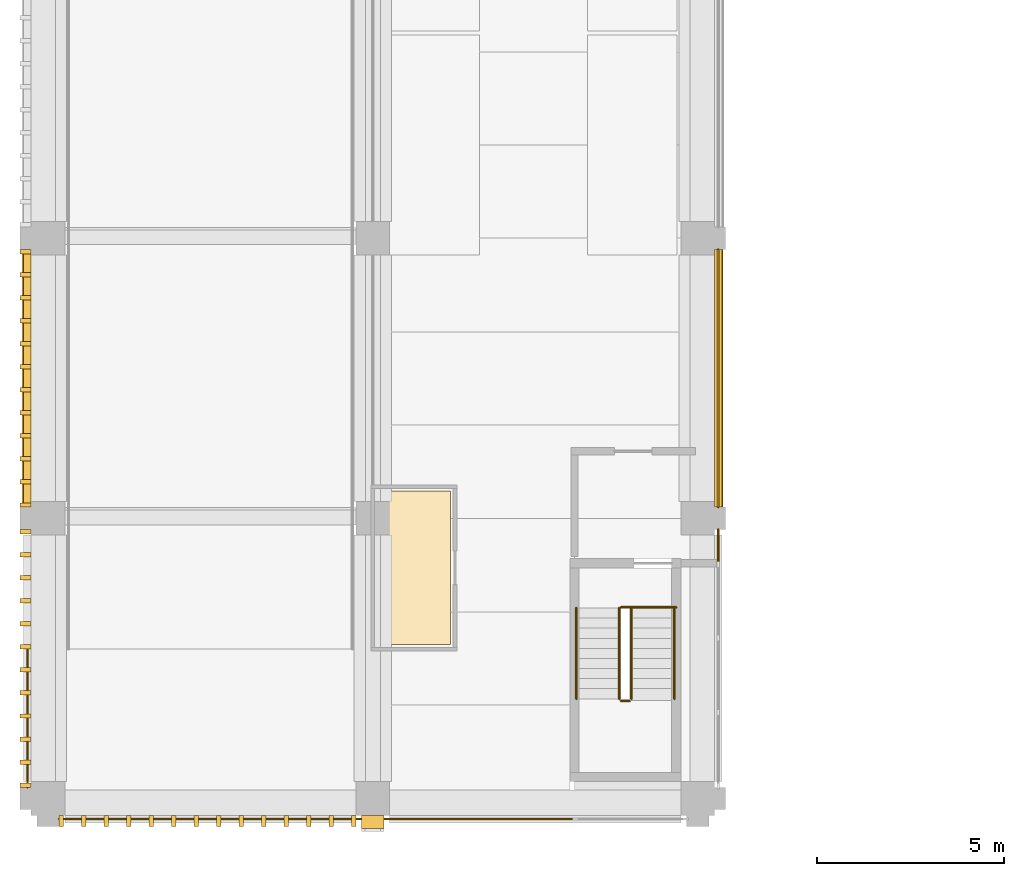
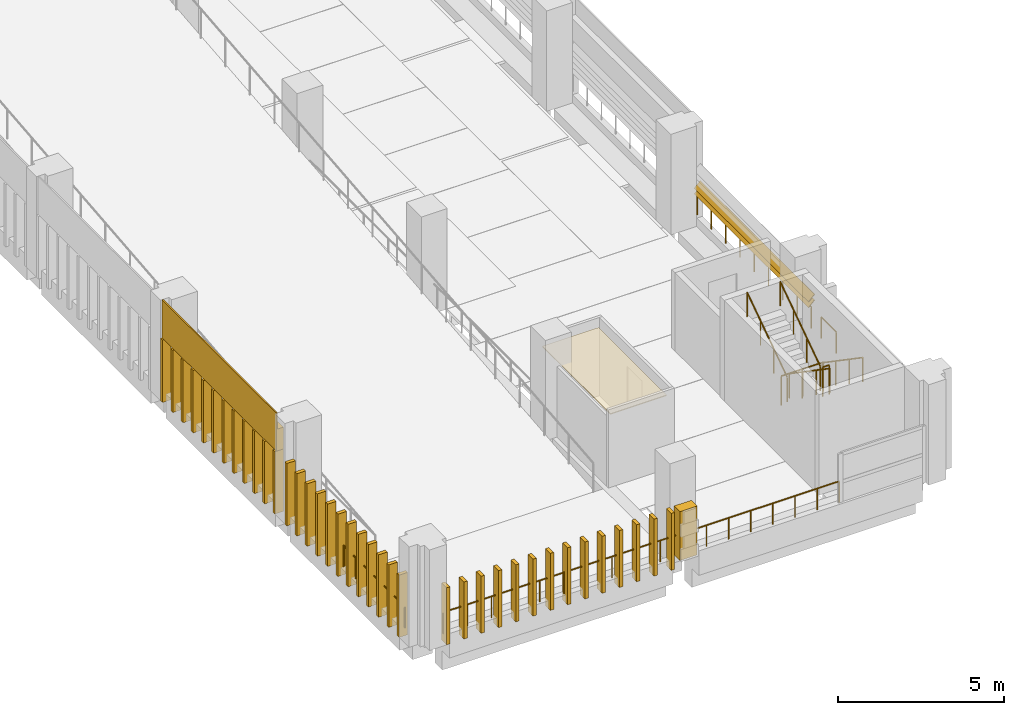
# One storey, part 37 of 57: 41 coverings, 11 railings, 2 shading devices.
"""IFC4 building model written with IfcOpenShell, lengths in metres."""

from ifc_helpers import new_model, si_unit, direction, frame, origin, origin_2d, place, context, subcontext, project, spatial, polyline, circle, outline, extrude, material, layer, layer_set, type_object, element, save


model = new_model("IFC4")

# Units and contexts
model_context = context("Model", 3, precision=1e-05, world=origin(), true_north=direction((0.0, 1.0)))
body_context = subcontext(model_context, "Body", "Model", "MODEL_VIEW")
ifc_project = project(units=[si_unit("LENGTHUNIT", "METRE"), si_unit("AREAUNIT", "SQUARE_METRE"), si_unit("VOLUMEUNIT", "CUBIC_METRE"), si_unit("PLANEANGLEUNIT", "RADIAN"), si_unit("MASSUNIT", "GRAM", prefix="KILO")], contexts=[model_context])

# Site, building, storey
site_placement = place(None, origin())
site = spatial("IfcSite", under=ifc_project, at=site_placement, CompositionType="ELEMENT")
building_placement = place(site_placement, origin())
building = spatial("IfcBuilding", under=site, at=building_placement, Name="Cour d'Honneur Mobility Palace", CompositionType="ELEMENT")
storey_placement = place(building_placement, frame((0.0, 0.0, 8.199951171875)))
storey = spatial("IfcBuildingStorey", under=building, at=storey_placement, Name="L02", CompositionType="ELEMENT", Elevation=8.199951171875)

# Railings
ifc_material_1 = material(Name="Painted steel", Category="steel")
railing_type_1 = type_object("IfcRailingType", Name="Balustrade", PredefinedType="BALUSTRADE", material=ifc_material_1)
railing_1_placement = place(storey_placement, frame((0.300048828125, -0.550048828125, 0.300048828125)))
element("IfcRailing", 1, at=railing_1_placement, inside=storey, type_object=railing_type_1, Name="Balustrade BAL-66", PredefinedType="BALUSTRADE", context=body_context, shape_type="SweptSolid", body=[
    extrude(circle(Radius=0.02392578125, at=origin_2d()), frame((0.0, 0.0, 0.77587890625), z_axis=(1.0, 0.0, 0.0), x_axis=(0.0, 1.0, 0.0)), (0.0, 0.0, 1.0), 8.39990234375),
    extrude(circle(Radius=0.02099609375, at=origin_2d()), origin(), (0.0, 0.0, 1.0), 0.751953125),
    extrude(circle(Radius=0.02099609375, at=origin_2d()), frame((0.840087890625, 0.0, 0.0)), (0.0, 0.0, 1.0), 0.751953125),
    extrude(circle(Radius=0.02099609375, at=origin_2d()), frame((1.679931640625, 0.0, 0.0)), (0.0, 0.0, 1.0), 0.751953125),
    extrude(circle(Radius=0.02099609375, at=origin_2d()), frame((2.52001953125, 0.0, 0.0)), (0.0, 0.0, 1.0), 0.751953125),
    extrude(circle(Radius=0.02099609375, at=origin_2d()), frame((3.35986328125, 0.0, 0.0)), (0.0, 0.0, 1.0), 0.751953125),
    extrude(circle(Radius=0.02099609375, at=origin_2d()), frame((4.199951171875, 0.0, 0.0)), (0.0, 0.0, 1.0), 0.751953125),
    extrude(circle(Radius=0.02099609375, at=origin_2d()), frame((5.0400390625, 0.0, 0.0)), (0.0, 0.0, 1.0), 0.751953125),
    extrude(circle(Radius=0.02099609375, at=origin_2d()), frame((5.8798828125, 0.0, 0.0)), (0.0, 0.0, 1.0), 0.751953125),
    extrude(circle(Radius=0.02099609375, at=origin_2d()), frame((6.719970703125, 0.0, 0.0)), (0.0, 0.0, 1.0), 0.751953125),
    extrude(circle(Radius=0.02099609375, at=origin_2d()), frame((7.559814453125, 0.0, 0.0)), (0.0, 0.0, 1.0), 0.751953125),
    extrude(circle(Radius=0.02099609375, at=origin_2d()), frame((8.39990234375, 0.0, 0.0)), (0.0, 0.0, 1.0), 0.751953125),
])
railing_2_placement = place(storey_placement, frame((8.699951171875, -0.550048828125, 0.300048828125)))
element("IfcRailing", 2, at=railing_2_placement, inside=storey, type_object=railing_type_1, Name="Balustrade BAL-67", PredefinedType="BALUSTRADE", context=body_context, shape_type="SweptSolid", body=[
    extrude(circle(Radius=0.02392578125, at=origin_2d()), frame((0.0, 0.0, 0.77587890625), z_axis=(1.0, 0.0, 0.0), x_axis=(0.0, 1.0, 0.0)), (0.0, 0.0, 1.0), 5.400146484375),
    extrude(circle(Radius=0.02099609375, at=origin_2d()), origin(), (0.0, 0.0, 1.0), 0.751953125),
    extrude(circle(Radius=0.02099609375, at=origin_2d()), frame((0.771484375, 0.0, 0.0)), (0.0, 0.0, 1.0), 0.751953125),
    extrude(circle(Radius=0.02099609375, at=origin_2d()), frame((1.54296875, 0.0, 0.0)), (0.0, 0.0, 1.0), 0.751953125),
    extrude(circle(Radius=0.02099609375, at=origin_2d()), frame((2.314453125, 0.0, 0.0)), (0.0, 0.0, 1.0), 0.751953125),
    extrude(circle(Radius=0.02099609375, at=origin_2d()), frame((3.085693359375, 0.0, 0.0)), (0.0, 0.0, 1.0), 0.751953125),
    extrude(circle(Radius=0.02099609375, at=origin_2d()), frame((3.857177734375, 0.0, 0.0)), (0.0, 0.0, 1.0), 0.751953125),
    extrude(circle(Radius=0.02099609375, at=origin_2d()), frame((4.628662109375, 0.0, 0.0)), (0.0, 0.0, 1.0), 0.751953125),
    extrude(circle(Radius=0.02099609375, at=origin_2d()), frame((5.400146484375, 0.0, 0.0)), (0.0, 0.0, 1.0), 0.751953125),
])
railing_3_placement = place(storey_placement, frame((17.949951171875, 6.300048828125, 0.300048828125)))
element("IfcRailing", 3, at=railing_3_placement, inside=storey, type_object=railing_type_1, Name="Balustrade BAL-68", PredefinedType="BALUSTRADE", context=body_context, shape_type="SweptSolid", body=[
    extrude(circle(Radius=0.02392578125, at=origin_2d()), frame((0.0, 0.0, 0.77587890625), z_axis=(0.0, 1.0, 0.0), x_axis=(-1.0, 0.0, 0.0)), (0.0, 0.0, 1.0), 0.89990234375),
    extrude(circle(Radius=0.02099609375, at=origin_2d()), origin(), (0.0, 0.0, 1.0), 0.751953125),
    extrude(circle(Radius=0.02099609375, at=origin_2d()), frame((0.0, 0.89990234375, 0.0)), (0.0, 0.0, 1.0), 0.751953125),
])
railing_4_placement = place(storey_placement, frame((17.949951171875, 7.800048828125, 0.300048828125)))
element("IfcRailing", 4, at=railing_4_placement, inside=storey, type_object=railing_type_1, Name="Balustrade BAL-69", PredefinedType="BALUSTRADE", context=body_context, shape_type="SweptSolid", body=[
    extrude(circle(Radius=0.02392578125, at=origin_2d()), frame((0.0, 0.0, 0.77587890625), z_axis=(0.0, 1.0, 0.0), x_axis=(-1.0, 0.0, 0.0)), (0.0, 0.0, 1.0), 6.89990234375),
    extrude(circle(Radius=0.02099609375, at=origin_2d()), origin(), (0.0, 0.0, 1.0), 0.751953125),
    extrude(circle(Radius=0.02099609375, at=origin_2d()), frame((0.0, 0.862548828125, 0.0)), (0.0, 0.0, 1.0), 0.751953125),
    extrude(circle(Radius=0.02099609375, at=origin_2d()), frame((0.0, 1.72509765625, 0.0)), (0.0, 0.0, 1.0), 0.751953125),
    extrude(circle(Radius=0.02099609375, at=origin_2d()), frame((0.0, 2.58740234375, 0.0)), (0.0, 0.0, 1.0), 0.751953125),
    extrude(circle(Radius=0.02099609375, at=origin_2d()), frame((0.0, 3.449951171875, 0.0)), (0.0, 0.0, 1.0), 0.751953125),
    extrude(circle(Radius=0.02099609375, at=origin_2d()), frame((0.0, 4.3125, 0.0)), (0.0, 0.0, 1.0), 0.751953125),
    extrude(circle(Radius=0.02099609375, at=origin_2d()), frame((0.0, 5.1748046875, 0.0)), (0.0, 0.0, 1.0), 0.751953125),
    extrude(circle(Radius=0.02099609375, at=origin_2d()), frame((0.0, 6.037353515625, 0.0)), (0.0, 0.0, 1.0), 0.751953125),
    extrude(circle(Radius=0.02099609375, at=origin_2d()), frame((0.0, 6.89990234375, 0.0)), (0.0, 0.0, 1.0), 0.751953125),
])
railing_5_placement = place(storey_placement, frame((-0.550048828125, 4.0, 0.300048828125)))
element("IfcRailing", 5, at=railing_5_placement, inside=storey, type_object=railing_type_1, Name="Balustrade BAL-130", PredefinedType="BALUSTRADE", context=body_context, shape_type="SweptSolid", body=[
    extrude(circle(Radius=0.02392578125, at=origin_2d()), frame((0.0, 0.0, 0.77587890625), z_axis=(0.0, -1.0, 0.0), x_axis=(1.0, 0.0, 0.0)), (0.0, 0.0, 1.0), 3.699951171875),
    extrude(circle(Radius=0.02099609375, at=origin_2d()), origin(), (0.0, 0.0, 1.0), 0.751953125),
    extrude(circle(Radius=0.02099609375, at=origin_2d()), frame((0.0, -0.739990234375, 0.0)), (0.0, 0.0, 1.0), 0.751953125),
    extrude(circle(Radius=0.02099609375, at=origin_2d()), frame((0.0, -1.47998046875, 0.0)), (0.0, 0.0, 1.0), 0.751953125),
    extrude(circle(Radius=0.02099609375, at=origin_2d()), frame((0.0, -2.219970703125, 0.0)), (0.0, 0.0, 1.0), 0.751953125),
    extrude(circle(Radius=0.02099609375, at=origin_2d()), frame((0.0, -2.9599609375, 0.0)), (0.0, 0.0, 1.0), 0.751953125),
    extrude(circle(Radius=0.02099609375, at=origin_2d()), frame((0.0, -3.699951171875, 0.0)), (0.0, 0.0, 1.0), 0.751953125),
])
ifc_material_2 = material(Name="Painted steel", Category="steel")
railing_type_2 = type_object("IfcRailingType", Name="Guardrail 1100", PredefinedType="GUARDRAIL", material=ifc_material_2)
railing_6_placement = place(storey_placement, frame((15.35009765625, 5.1201171875, 0.0)))
element("IfcRailing", 6, at=railing_6_placement, inside=storey, type_object=railing_type_2, Name="Guard ST-RW1", PredefinedType="GUARDRAIL", context=body_context, shape_type="SweptSolid", body=[
    extrude(circle(Radius=0.02490234375, at=origin_2d()), frame((0.0, 0.0, 1.0751953125), z_axis=(1.0, 0.0, 0.0), x_axis=(0.0, 1.0, 0.0)), (0.0, 0.0, 1.0), 1.474853515625),
    extrude(circle(Radius=0.02099609375, at=origin_2d()), origin(), (0.0, 0.0, 1.0), 1.050048828125),
    extrude(circle(Radius=0.02099609375, at=origin_2d()), frame((0.7373046875, 0.0, 0.0)), (0.0, 0.0, 1.0), 1.050048828125),
    extrude(circle(Radius=0.02099609375, at=origin_2d()), frame((1.474853515625, 0.0, 0.0)), (0.0, 0.0, 1.0), 1.050048828125),
])
railing_7_placement = place(storey_placement, frame((15.35009765625, 2.610107421875, 1.85009765625)))
element("IfcRailing", 7, at=railing_7_placement, inside=storey, type_object=railing_type_2, Name="Landing guard ST-RW1", PredefinedType="GUARDRAIL", context=body_context, shape_type="SweptSolid", body=[
    extrude(circle(Radius=0.02490234375, at=origin_2d()), frame((0.0, 0.0, 1.0751953125), z_axis=(1.0, 0.0, 0.0), x_axis=(0.0, 1.0, 0.0)), (0.0, 0.0, 1.0), 0.224853515625),
    extrude(circle(Radius=0.02099609375, at=origin_2d()), origin(), (0.0, 0.0, 1.0), 1.050048828125),
    extrude(circle(Radius=0.02099609375, at=origin_2d()), frame((0.224853515625, 0.0, 0.0)), (0.0, 0.0, 1.0), 1.050048828125),
])
ifc_material_3 = material(Name="Stainless steel", Category="steel")
railing_type_3 = type_object("IfcRailingType", Name="Handrail round 50", PredefinedType="HANDRAIL", material=ifc_material_3)
for number, where, name in (
    (8, (16.77490234375, 5.10009765625, 0.18505859375), "Handrail ST-RW1"),
    (9, (15.625, 5.10009765625, 0.18505859375), "Handrail ST-RW1"),
):
    element("IfcRailing", number, at=place(storey_placement, frame(where)), inside=storey, type_object=railing_type_3, Name=name, PredefinedType="HANDRAIL", context=body_context, shape_type="SweptSolid", body=[
        extrude(circle(Radius=0.02490234375, at=origin_2d()), frame((0.0, 0.0, 0.89501953125), z_axis=(0.0, -0.824945253146, 0.565212640793), x_axis=(1.0, 0.0, 0.0)), (0.0, 0.0, 1.0), 2.94580078125),
        extrude(circle(Radius=0.02099609375, at=origin_2d()), origin(), (0.0, 0.0, 1.0), 0.869873046875),
        extrude(circle(Radius=0.02099609375, at=origin_2d()), frame((0.0, -0.81005859375, 0.554931640625)), (0.0, 0.0, 1.0), 0.869873046875),
        extrude(circle(Radius=0.02099609375, at=origin_2d()), frame((0.0, -1.6201171875, 1.110107421875)), (0.0, 0.0, 1.0), 0.869873046875),
        extrude(circle(Radius=0.02099609375, at=origin_2d()), frame((0.0, -2.43017578125, 1.6650390625)), (0.0, 0.0, 1.0), 0.869873046875),
    ])
for number, where, name in (
    (10, (15.300048828125, 2.669921875, 2.03515625), "Handrail ST-RW1"),
    (11, (14.14990234375, 2.669921875, 2.03515625), "Handrail ST-RW1"),
):
    element("IfcRailing", number, at=place(storey_placement, frame(where)), inside=storey, type_object=railing_type_3, Name=name, PredefinedType="HANDRAIL", context=body_context, shape_type="SweptSolid", body=[
        extrude(circle(Radius=0.02490234375, at=origin_2d()), frame((0.0, 0.0, 0.89501953125), z_axis=(0.0, 0.824983895463, 0.565156237006), x_axis=(-1.0, 0.0, 0.0)), (0.0, 0.0, 1.0), 2.94580078125),
        extrude(circle(Radius=0.02099609375, at=origin_2d()), origin(), (0.0, 0.0, 1.0), 0.869873046875),
        extrude(circle(Radius=0.02099609375, at=origin_2d()), frame((0.0, 0.81005859375, 0.554931640625)), (0.0, 0.0, 1.0), 0.869873046875),
        extrude(circle(Radius=0.02099609375, at=origin_2d()), frame((0.0, 1.6201171875, 1.10986328125)), (0.0, 0.0, 1.0), 0.869873046875),
        extrude(circle(Radius=0.02099609375, at=origin_2d()), frame((0.0, 2.43017578125, 1.664794921875)), (0.0, 0.0, 1.0), 0.869873046875),
    ])

# Coverings
ifc_material_4 = material(Name="Cast limestone", Category="masonry")
ifc_layer_1 = layer(ifc_material_4, 0.35009765625)
ifc_layer_set_1 = layer_set([ifc_layer_1], Name="Cast limestone")
covering_type_1 = type_object("IfcCoveringType", Name="Pier pilaster", PredefinedType="CLADDING", material=ifc_layer_set_1)
covering_1_placement = place(storey_placement, frame((0.0, 0.0, 0.300048828125)))
element("IfcCovering", 12, at=covering_1_placement, inside=storey, type_object=covering_type_1, Name="Pier pilaster PN-3", PredefinedType="CLADDING", context=body_context, shape_type="SweptSolid", body=[
    extrude(outline(polyline([(8.39990234375, -0.449951171875), (9.0, -0.449951171875), (9.0, -0.800048828125), (8.39990234375, -0.800048828125), (8.39990234375, -0.449951171875)])), origin(), (0.0, 0.0, 1.0), 1.800048828125),
])
ifc_material_5 = material(Name="Cast limestone", Category="masonry")
ifc_layer_2 = layer(ifc_material_5, 0.1201171875)
ifc_layer_set_2 = layer_set([ifc_layer_2], Name="Cast limestone")
covering_type_2 = type_object("IfcCoveringType", Name="Ramp screen fin", PredefinedType="CLADDING", material=ifc_layer_set_2)
covering_2_placement = place(storey_placement, origin())
element("IfcCovering", 13, at=covering_2_placement, inside=storey, type_object=covering_type_2, Name="Ramp screen fin S0.0 L02 1", PredefinedType="CLADDING", context=body_context, shape_type="SweptSolid", body=[
    extrude(outline(polyline([(0.300048828125, -0.449951171875), (0.419921875, -0.449951171875), (0.419921875, -0.75), (0.300048828125, -0.75), (0.300048828125, -0.449951171875)])), origin(), (0.0, 0.0, 1.0), 2.10009765625),
])
covering_3_placement = place(storey_placement, origin())
element("IfcCovering", 14, at=covering_3_placement, inside=storey, type_object=covering_type_2, Name="Ramp screen fin S0.0 L02 2", PredefinedType="CLADDING", context=body_context, shape_type="SweptSolid", body=[
    extrude(outline(polyline([(0.90234375, -0.449951171875), (1.022216796875, -0.449951171875), (1.022216796875, -0.75), (0.90234375, -0.75), (0.90234375, -0.449951171875)])), origin(), (0.0, 0.0, 1.0), 2.10009765625),
])
covering_4_placement = place(storey_placement, origin())
element("IfcCovering", 15, at=covering_4_placement, inside=storey, type_object=covering_type_2, Name="Ramp screen fin S0.0 L02 3", PredefinedType="CLADDING", context=body_context, shape_type="SweptSolid", body=[
    extrude(outline(polyline([(1.504638671875, -0.449951171875), (1.62451171875, -0.449951171875), (1.62451171875, -0.75), (1.504638671875, -0.75), (1.504638671875, -0.449951171875)])), origin(), (0.0, 0.0, 1.0), 2.10009765625),
])
covering_5_placement = place(storey_placement, origin())
element("IfcCovering", 16, at=covering_5_placement, inside=storey, type_object=covering_type_2, Name="Ramp screen fin S0.0 L02 4", PredefinedType="CLADDING", context=body_context, shape_type="SweptSolid", body=[
    extrude(outline(polyline([(2.10693359375, -0.449951171875), (2.226806640625, -0.449951171875), (2.226806640625, -0.75), (2.10693359375, -0.75), (2.10693359375, -0.449951171875)])), origin(), (0.0, 0.0, 1.0), 2.10009765625),
])
covering_6_placement = place(storey_placement, origin())
element("IfcCovering", 17, at=covering_6_placement, inside=storey, type_object=covering_type_2, Name="Ramp screen fin S0.0 L02 5", PredefinedType="CLADDING", context=body_context, shape_type="SweptSolid", body=[
    extrude(outline(polyline([(2.709228515625, -0.449951171875), (2.829345703125, -0.449951171875), (2.829345703125, -0.75), (2.709228515625, -0.75), (2.709228515625, -0.449951171875)])), origin(), (0.0, 0.0, 1.0), 2.10009765625),
])
covering_7_placement = place(storey_placement, origin())
element("IfcCovering", 18, at=covering_7_placement, inside=storey, type_object=covering_type_2, Name="Ramp screen fin S0.0 L02 6", PredefinedType="CLADDING", context=body_context, shape_type="SweptSolid", body=[
    extrude(outline(polyline([(3.3115234375, -0.449951171875), (3.431640625, -0.449951171875), (3.431640625, -0.75), (3.3115234375, -0.75), (3.3115234375, -0.449951171875)])), origin(), (0.0, 0.0, 1.0), 2.10009765625),
])
covering_8_placement = place(storey_placement, origin())
element("IfcCovering", 19, at=covering_8_placement, inside=storey, type_object=covering_type_2, Name="Ramp screen fin S0.0 L02 7", PredefinedType="CLADDING", context=body_context, shape_type="SweptSolid", body=[
    extrude(outline(polyline([(3.913818359375, -0.449951171875), (4.033935546875, -0.449951171875), (4.033935546875, -0.75), (3.913818359375, -0.75), (3.913818359375, -0.449951171875)])), origin(), (0.0, 0.0, 1.0), 2.10009765625),
])
covering_9_placement = place(storey_placement, origin())
element("IfcCovering", 20, at=covering_9_placement, inside=storey, type_object=covering_type_2, Name="Ramp screen fin S0.0 L02 8", PredefinedType="CLADDING", context=body_context, shape_type="SweptSolid", body=[
    extrude(outline(polyline([(4.51611328125, -0.449951171875), (4.63623046875, -0.449951171875), (4.63623046875, -0.75), (4.51611328125, -0.75), (4.51611328125, -0.449951171875)])), origin(), (0.0, 0.0, 1.0), 2.10009765625),
])
covering_10_placement = place(storey_placement, origin())
element("IfcCovering", 21, at=covering_10_placement, inside=storey, type_object=covering_type_2, Name="Ramp screen fin S0.0 L02 9", PredefinedType="CLADDING", context=body_context, shape_type="SweptSolid", body=[
    extrude(outline(polyline([(5.118408203125, -0.449951171875), (5.238525390625, -0.449951171875), (5.238525390625, -0.75), (5.118408203125, -0.75), (5.118408203125, -0.449951171875)])), origin(), (0.0, 0.0, 1.0), 2.10009765625),
])
covering_11_placement = place(storey_placement, origin())
element("IfcCovering", 22, at=covering_11_placement, inside=storey, type_object=covering_type_2, Name="Ramp screen fin S0.0 L02 10", PredefinedType="CLADDING", context=body_context, shape_type="SweptSolid", body=[
    extrude(outline(polyline([(5.720703125, -0.449951171875), (5.8408203125, -0.449951171875), (5.8408203125, -0.75), (5.720703125, -0.75), (5.720703125, -0.449951171875)])), origin(), (0.0, 0.0, 1.0), 2.10009765625),
])
covering_12_placement = place(storey_placement, origin())
element("IfcCovering", 23, at=covering_12_placement, inside=storey, type_object=covering_type_2, Name="Ramp screen fin S0.0 L02 11", PredefinedType="CLADDING", context=body_context, shape_type="SweptSolid", body=[
    extrude(outline(polyline([(6.322998046875, -0.449951171875), (6.443115234375, -0.449951171875), (6.443115234375, -0.75), (6.322998046875, -0.75), (6.322998046875, -0.449951171875)])), origin(), (0.0, 0.0, 1.0), 2.10009765625),
])
covering_13_placement = place(storey_placement, origin())
element("IfcCovering", 24, at=covering_13_placement, inside=storey, type_object=covering_type_2, Name="Ramp screen fin S0.0 L02 12", PredefinedType="CLADDING", context=body_context, shape_type="SweptSolid", body=[
    extrude(outline(polyline([(6.92529296875, -0.449951171875), (7.04541015625, -0.449951171875), (7.04541015625, -0.75), (6.92529296875, -0.75), (6.92529296875, -0.449951171875)])), origin(), (0.0, 0.0, 1.0), 2.10009765625),
])
covering_14_placement = place(storey_placement, origin())
element("IfcCovering", 25, at=covering_14_placement, inside=storey, type_object=covering_type_2, Name="Ramp screen fin S0.0 L02 13", PredefinedType="CLADDING", context=body_context, shape_type="SweptSolid", body=[
    extrude(outline(polyline([(7.527587890625, -0.449951171875), (7.647705078125, -0.449951171875), (7.647705078125, -0.75), (7.527587890625, -0.75), (7.527587890625, -0.449951171875)])), origin(), (0.0, 0.0, 1.0), 2.10009765625),
])
covering_15_placement = place(storey_placement, origin())
element("IfcCovering", 26, at=covering_15_placement, inside=storey, type_object=covering_type_2, Name="Ramp screen fin S0.0 L02 14", PredefinedType="CLADDING", context=body_context, shape_type="SweptSolid", body=[
    extrude(outline(polyline([(8.1298828125, -0.449951171875), (8.25, -0.449951171875), (8.25, -0.75), (8.1298828125, -0.75), (8.1298828125, -0.449951171875)])), origin(), (0.0, 0.0, 1.0), 2.10009765625),
])
covering_16_placement = place(storey_placement, origin())
element("IfcCovering", 27, at=covering_16_placement, inside=storey, type_object=covering_type_2, Name="Ramp screen fin W11.12 L02 1", PredefinedType="CLADDING", context=body_context, shape_type="SweptSolid", body=[
    extrude(outline(polyline([(-0.449951171875, 14.699951171875), (-0.449951171875, 14.580078125), (-0.75, 14.580078125), (-0.75, 14.699951171875), (-0.449951171875, 14.699951171875)])), origin(), (0.0, 0.0, 1.0), 2.300048828125),
])
covering_17_placement = place(storey_placement, origin())
element("IfcCovering", 28, at=covering_17_placement, inside=storey, type_object=covering_type_2, Name="Ramp screen fin W11.12 L02 2", PredefinedType="CLADDING", context=body_context, shape_type="SweptSolid", body=[
    extrude(outline(polyline([(-0.449951171875, 14.083740234375), (-0.449951171875, 13.963623046875), (-0.75, 13.963623046875), (-0.75, 14.083740234375), (-0.449951171875, 14.083740234375)])), origin(), (0.0, 0.0, 1.0), 2.300048828125),
])
covering_18_placement = place(storey_placement, origin())
element("IfcCovering", 29, at=covering_18_placement, inside=storey, type_object=covering_type_2, Name="Ramp screen fin W11.12 L02 3", PredefinedType="CLADDING", context=body_context, shape_type="SweptSolid", body=[
    extrude(outline(polyline([(-0.449951171875, 13.46728515625), (-0.449951171875, 13.34716796875), (-0.75, 13.34716796875), (-0.75, 13.46728515625), (-0.449951171875, 13.46728515625)])), origin(), (0.0, 0.0, 1.0), 2.300048828125),
])
covering_19_placement = place(storey_placement, origin())
element("IfcCovering", 30, at=covering_19_placement, inside=storey, type_object=covering_type_2, Name="Ramp screen fin W11.12 L02 4", PredefinedType="CLADDING", context=body_context, shape_type="SweptSolid", body=[
    extrude(outline(polyline([(-0.449951171875, 12.850830078125), (-0.449951171875, 12.73095703125), (-0.75, 12.73095703125), (-0.75, 12.850830078125), (-0.449951171875, 12.850830078125)])), origin(), (0.0, 0.0, 1.0), 2.300048828125),
])
covering_20_placement = place(storey_placement, origin())
element("IfcCovering", 31, at=covering_20_placement, inside=storey, type_object=covering_type_2, Name="Ramp screen fin W11.12 L02 5", PredefinedType="CLADDING", context=body_context, shape_type="SweptSolid", body=[
    extrude(outline(polyline([(-0.449951171875, 12.234619140625), (-0.449951171875, 12.114501953125), (-0.75, 12.114501953125), (-0.75, 12.234619140625), (-0.449951171875, 12.234619140625)])), origin(), (0.0, 0.0, 1.0), 2.300048828125),
])
covering_21_placement = place(storey_placement, origin())
element("IfcCovering", 32, at=covering_21_placement, inside=storey, type_object=covering_type_2, Name="Ramp screen fin W11.12 L02 6", PredefinedType="CLADDING", context=body_context, shape_type="SweptSolid", body=[
    extrude(outline(polyline([(-0.449951171875, 11.6181640625), (-0.449951171875, 11.498291015625), (-0.75, 11.498291015625), (-0.75, 11.6181640625), (-0.449951171875, 11.6181640625)])), origin(), (0.0, 0.0, 1.0), 2.300048828125),
])
covering_22_placement = place(storey_placement, origin())
element("IfcCovering", 33, at=covering_22_placement, inside=storey, type_object=covering_type_2, Name="Ramp screen fin W11.12 L02 7", PredefinedType="CLADDING", context=body_context, shape_type="SweptSolid", body=[
    extrude(outline(polyline([(-0.449951171875, 11.001708984375), (-0.449951171875, 10.8818359375), (-0.75, 10.8818359375), (-0.75, 11.001708984375), (-0.449951171875, 11.001708984375)])), origin(), (0.0, 0.0, 1.0), 2.300048828125),
])
covering_23_placement = place(storey_placement, origin())
element("IfcCovering", 34, at=covering_23_placement, inside=storey, type_object=covering_type_2, Name="Ramp screen fin W11.12 L02 8", PredefinedType="CLADDING", context=body_context, shape_type="SweptSolid", body=[
    extrude(outline(polyline([(-0.449951171875, 10.385498046875), (-0.449951171875, 10.265380859375), (-0.75, 10.265380859375), (-0.75, 10.385498046875), (-0.449951171875, 10.385498046875)])), origin(), (0.0, 0.0, 1.0), 2.300048828125),
])
covering_24_placement = place(storey_placement, origin())
element("IfcCovering", 35, at=covering_24_placement, inside=storey, type_object=covering_type_2, Name="Ramp screen fin W11.12 L02 9", PredefinedType="CLADDING", context=body_context, shape_type="SweptSolid", body=[
    extrude(outline(polyline([(-0.449951171875, 9.76904296875), (-0.449951171875, 9.649169921875), (-0.75, 9.649169921875), (-0.75, 9.76904296875), (-0.449951171875, 9.76904296875)])), origin(), (0.0, 0.0, 1.0), 2.300048828125),
])
covering_25_placement = place(storey_placement, origin())
element("IfcCovering", 36, at=covering_25_placement, inside=storey, type_object=covering_type_2, Name="Ramp screen fin W11.12 L02 10", PredefinedType="CLADDING", context=body_context, shape_type="SweptSolid", body=[
    extrude(outline(polyline([(-0.449951171875, 9.15283203125), (-0.449951171875, 9.03271484375), (-0.75, 9.03271484375), (-0.75, 9.15283203125), (-0.449951171875, 9.15283203125)])), origin(), (0.0, 0.0, 1.0), 2.300048828125),
])
covering_26_placement = place(storey_placement, origin())
element("IfcCovering", 37, at=covering_26_placement, inside=storey, type_object=covering_type_2, Name="Ramp screen fin W11.12 L02 11", PredefinedType="CLADDING", context=body_context, shape_type="SweptSolid", body=[
    extrude(outline(polyline([(-0.449951171875, 8.536376953125), (-0.449951171875, 8.416259765625), (-0.75, 8.416259765625), (-0.75, 8.536376953125), (-0.449951171875, 8.536376953125)])), origin(), (0.0, 0.0, 1.0), 2.300048828125),
])
covering_27_placement = place(storey_placement, origin())
element("IfcCovering", 38, at=covering_27_placement, inside=storey, type_object=covering_type_2, Name="Ramp screen fin W11.12 L02 12", PredefinedType="CLADDING", context=body_context, shape_type="SweptSolid", body=[
    extrude(outline(polyline([(-0.449951171875, 7.919921875), (-0.449951171875, 7.800048828125), (-0.75, 7.800048828125), (-0.75, 7.919921875), (-0.449951171875, 7.919921875)])), origin(), (0.0, 0.0, 1.0), 2.300048828125),
])
covering_28_placement = place(storey_placement, origin())
element("IfcCovering", 39, at=covering_28_placement, inside=storey, type_object=covering_type_2, Name="Ramp screen fin W11.13 L02 1", PredefinedType="CLADDING", context=body_context, shape_type="SweptSolid", body=[
    extrude(outline(polyline([(-0.449951171875, 7.199951171875), (-0.449951171875, 7.080078125), (-0.75, 7.080078125), (-0.75, 7.199951171875), (-0.449951171875, 7.199951171875)])), origin(), (0.0, 0.0, 1.0), 2.300048828125),
])
covering_29_placement = place(storey_placement, origin())
element("IfcCovering", 40, at=covering_29_placement, inside=storey, type_object=covering_type_2, Name="Ramp screen fin W11.13 L02 2", PredefinedType="CLADDING", context=body_context, shape_type="SweptSolid", body=[
    extrude(outline(polyline([(-0.449951171875, 6.583740234375), (-0.449951171875, 6.463623046875), (-0.75, 6.463623046875), (-0.75, 6.583740234375), (-0.449951171875, 6.583740234375)])), origin(), (0.0, 0.0, 1.0), 2.300048828125),
])
covering_30_placement = place(storey_placement, origin())
element("IfcCovering", 41, at=covering_30_placement, inside=storey, type_object=covering_type_2, Name="Ramp screen fin W11.13 L02 3", PredefinedType="CLADDING", context=body_context, shape_type="SweptSolid", body=[
    extrude(outline(polyline([(-0.449951171875, 5.96728515625), (-0.449951171875, 5.84716796875), (-0.75, 5.84716796875), (-0.75, 5.96728515625), (-0.449951171875, 5.96728515625)])), origin(), (0.0, 0.0, 1.0), 2.300048828125),
])
covering_31_placement = place(storey_placement, origin())
element("IfcCovering", 42, at=covering_31_placement, inside=storey, type_object=covering_type_2, Name="Ramp screen fin W11.13 L02 4", PredefinedType="CLADDING", context=body_context, shape_type="SweptSolid", body=[
    extrude(outline(polyline([(-0.449951171875, 5.350830078125), (-0.449951171875, 5.23095703125), (-0.75, 5.23095703125), (-0.75, 5.350830078125), (-0.449951171875, 5.350830078125)])), origin(), (0.0, 0.0, 1.0), 2.300048828125),
])
covering_32_placement = place(storey_placement, origin())
element("IfcCovering", 43, at=covering_32_placement, inside=storey, type_object=covering_type_2, Name="Ramp screen fin W11.13 L02 5", PredefinedType="CLADDING", context=body_context, shape_type="SweptSolid", body=[
    extrude(outline(polyline([(-0.449951171875, 4.734619140625), (-0.449951171875, 4.614501953125), (-0.75, 4.614501953125), (-0.75, 4.734619140625), (-0.449951171875, 4.734619140625)])), origin(), (0.0, 0.0, 1.0), 2.300048828125),
])
covering_33_placement = place(storey_placement, origin())
element("IfcCovering", 44, at=covering_33_placement, inside=storey, type_object=covering_type_2, Name="Ramp screen fin W11.13 L02 6", PredefinedType="CLADDING", context=body_context, shape_type="SweptSolid", body=[
    extrude(outline(polyline([(-0.449951171875, 4.1181640625), (-0.449951171875, 3.998291015625), (-0.75, 3.998291015625), (-0.75, 4.1181640625), (-0.449951171875, 4.1181640625)])), origin(), (0.0, 0.0, 1.0), 2.300048828125),
])
covering_34_placement = place(storey_placement, origin())
element("IfcCovering", 45, at=covering_34_placement, inside=storey, type_object=covering_type_2, Name="Ramp screen fin W11.13 L02 7", PredefinedType="CLADDING", context=body_context, shape_type="SweptSolid", body=[
    extrude(outline(polyline([(-0.449951171875, 3.501708984375), (-0.449951171875, 3.3818359375), (-0.75, 3.3818359375), (-0.75, 3.501708984375), (-0.449951171875, 3.501708984375)])), origin(), (0.0, 0.0, 1.0), 2.300048828125),
])
covering_35_placement = place(storey_placement, origin())
element("IfcCovering", 46, at=covering_35_placement, inside=storey, type_object=covering_type_2, Name="Ramp screen fin W11.13 L02 8", PredefinedType="CLADDING", context=body_context, shape_type="SweptSolid", body=[
    extrude(outline(polyline([(-0.449951171875, 2.885498046875), (-0.449951171875, 2.765380859375), (-0.75, 2.765380859375), (-0.75, 2.885498046875), (-0.449951171875, 2.885498046875)])), origin(), (0.0, 0.0, 1.0), 2.300048828125),
])
covering_36_placement = place(storey_placement, origin())
element("IfcCovering", 47, at=covering_36_placement, inside=storey, type_object=covering_type_2, Name="Ramp screen fin W11.13 L02 9", PredefinedType="CLADDING", context=body_context, shape_type="SweptSolid", body=[
    extrude(outline(polyline([(-0.449951171875, 2.26904296875), (-0.449951171875, 2.149169921875), (-0.75, 2.149169921875), (-0.75, 2.26904296875), (-0.449951171875, 2.26904296875)])), origin(), (0.0, 0.0, 1.0), 2.300048828125),
])
covering_37_placement = place(storey_placement, origin())
element("IfcCovering", 48, at=covering_37_placement, inside=storey, type_object=covering_type_2, Name="Ramp screen fin W11.13 L02 10", PredefinedType="CLADDING", context=body_context, shape_type="SweptSolid", body=[
    extrude(outline(polyline([(-0.449951171875, 1.65283203125), (-0.449951171875, 1.53271484375), (-0.75, 1.53271484375), (-0.75, 1.65283203125), (-0.449951171875, 1.65283203125)])), origin(), (0.0, 0.0, 1.0), 2.300048828125),
])
covering_38_placement = place(storey_placement, origin())
element("IfcCovering", 49, at=covering_38_placement, inside=storey, type_object=covering_type_2, Name="Ramp screen fin W11.13 L02 11", PredefinedType="CLADDING", context=body_context, shape_type="SweptSolid", body=[
    extrude(outline(polyline([(-0.449951171875, 1.036376953125), (-0.449951171875, 0.916259765625), (-0.75, 0.916259765625), (-0.75, 1.036376953125), (-0.449951171875, 1.036376953125)])), origin(), (0.0, 0.0, 1.0), 2.300048828125),
])
covering_39_placement = place(storey_placement, origin())
element("IfcCovering", 50, at=covering_39_placement, inside=storey, type_object=covering_type_2, Name="Ramp screen fin W11.13 L02 12", PredefinedType="CLADDING", context=body_context, shape_type="SweptSolid", body=[
    extrude(outline(polyline([(-0.449951171875, 0.419921875), (-0.449951171875, 0.300048828125), (-0.75, 0.300048828125), (-0.75, 0.419921875), (-0.449951171875, 0.419921875)])), origin(), (0.0, 0.0, 1.0), 2.300048828125),
])
ifc_material_6 = material(Name="Cast limestone", Category="masonry")
ifc_layer_3 = layer(ifc_material_6, 0.25)
ifc_layer_set_3 = layer_set([ifc_layer_3], Name="Cast limestone")
covering_type_3 = type_object("IfcCoveringType", Name="Spandrel cladding", PredefinedType="CLADDING", material=ifc_layer_set_3)
covering_40_placement = place(storey_placement, frame((-0.449951171875, 14.699951171875, 2.300048828125), z_axis=(0.0, 1.0, 0.0), x_axis=(-1.0, 0.0, 0.0)))
element("IfcCovering", 51, at=covering_40_placement, inside=storey, type_object=covering_type_3, Name="Spandrel cladding SK-207", PredefinedType="CLADDING", context=body_context, shape_type="SweptSolid", body=[
    extrude(outline(polyline([(0.0, 0.0), (0.25, 0.0), (0.25, 1.39990234375), (0.199951171875, 1.39990234375), (0.199951171875, 0.800048828125), (0.0, 0.800048828125), (0.0, 0.0)])), origin(), (0.0, 0.0, -1.0), 6.89990234375),
])
ifc_material_7 = material(Name="Suspended ceiling")
ifc_layer_4 = layer(ifc_material_7, 0.030029296875)
ifc_layer_set_4 = layer_set([ifc_layer_4], Name="Suspended ceiling")
covering_type_4 = type_object("IfcCoveringType", Name="Suspended ceiling", PredefinedType="CEILING", material=ifc_layer_set_4)
covering_41_placement = place(storey_placement, frame((0.0, 0.0, 2.550048828125)))
element("IfcCovering", 52, at=covering_41_placement, inside=storey, type_object=covering_type_4, Name="Ceiling Attendant Room West", PredefinedType="CEILING", context=body_context, shape_type="SweptSolid", body=[
    extrude(outline(polyline([(10.780029296875, 4.1201171875), (8.820068359375, 4.1201171875), (8.820068359375, 8.22998046875), (10.780029296875, 8.22998046875), (10.780029296875, 4.1201171875)])), origin(), (0.0, 0.0, 1.0), 0.030029296875),
])

# Shading devices
ifc_material_8 = material(Name="Terracotta", Category="masonry")
ifc_layer_5 = layer(ifc_material_8, 0.02490234375)
ifc_layer_set_5 = layer_set([ifc_layer_5], Name="Terracotta")
shading_device_type = type_object("IfcShadingDeviceType", Name="Terracotta louvre blade", PredefinedType="JALOUSIE", material=ifc_layer_set_5)
for number, where, z_axis, x_axis, name in (
    (53, (17.843994140625, 7.800048828125, 1.10009765625), (-0.707106781187, 0.0, 0.707106781187), (0.0, 1.0, 0.0), "Louvre blade LV-1 E1.1 L02 1"),
    (54, (17.843994140625, 7.800048828125, 1.312255859375), (-0.707106781187, 0.0, 0.707106781187), (0.0, 1.0, 0.0), "Louvre blade LV-1 E1.1 L02 2"),
):
    element("IfcShadingDevice", number, at=place(storey_placement, frame(where, z_axis=z_axis, x_axis=x_axis)), inside=storey, type_object=shading_device_type, Name=name, PredefinedType="JALOUSIE", context=body_context, shape_type="SweptSolid", body=[
        extrude(outline(polyline([(0.0, 0.0), (6.89990234375, 0.0), (6.89990234375, -0.300037008228081), (0.0, -0.300037008228081), (0.0, 0.0)])), origin(), (0.0, 0.0, -1.0), 0.02490234375),
    ])

save(model, "model.ifc")
